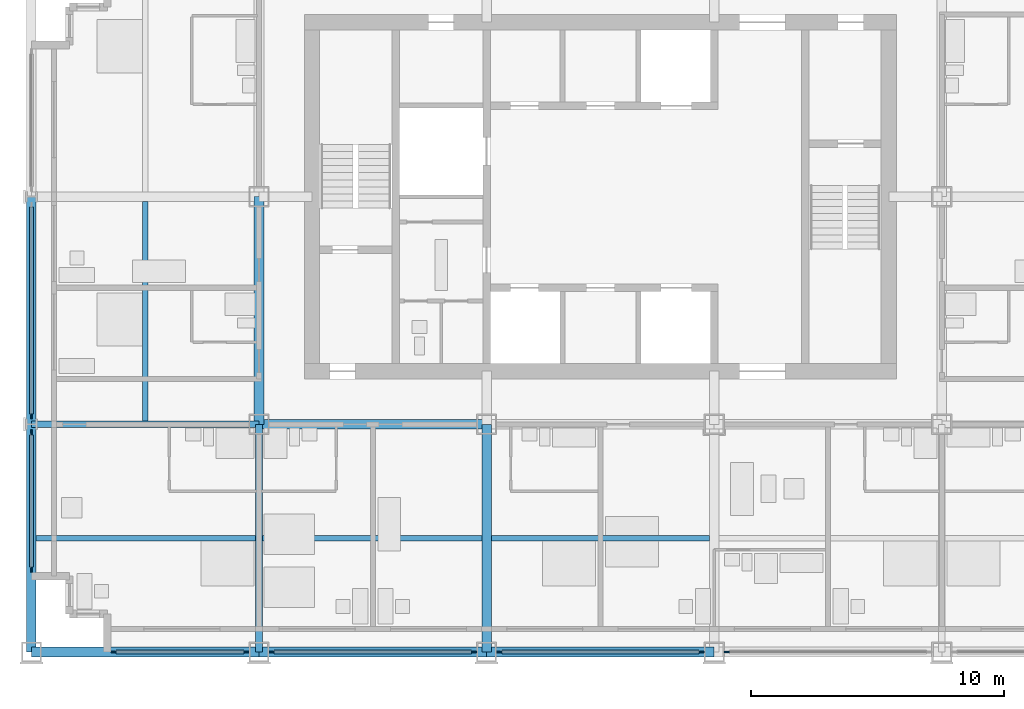
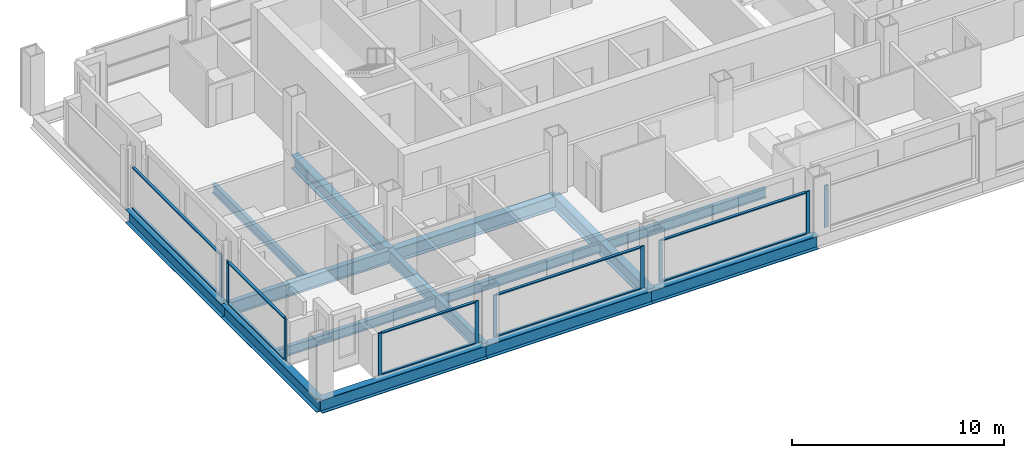
# One storey, part 2 of 13: 20 members, 14 beams, 6 elements without a shape of their own.
"""IFC4 building model written with IfcOpenShell, lengths in metres."""

from ifc_helpers import new_model, si_unit, direction, frame, origin, origin_2d, place, context, subcontext, project, spatial, rectangle, i_section, extrude, material, material_profile, profile_set, type_object, element, aggregate, save


model = new_model("IFC4")

# Units and contexts
model_context = context("Model", 3, precision=1e-05, world=origin(), true_north=direction((0.0, 1.0)))
body_context = subcontext(model_context, "Body", "Model", "MODEL_VIEW")
ifc_project = project(units=[si_unit("LENGTHUNIT", "METRE"), si_unit("AREAUNIT", "SQUARE_METRE"), si_unit("VOLUMEUNIT", "CUBIC_METRE"), si_unit("PLANEANGLEUNIT", "RADIAN"), si_unit("MASSUNIT", "GRAM", prefix="KILO")], contexts=[model_context])

# Site, building, storey
site_placement = place(None, origin())
site = spatial("IfcSite", under=ifc_project, at=site_placement, CompositionType="ELEMENT")
building_placement = place(site_placement, origin())
building = spatial("IfcBuilding", under=site, at=building_placement, Name="Loomwork Tower", CompositionType="ELEMENT")
storey_placement = place(building_placement, frame((0.0, 0.0, 211.39990234375)))
storey = spatial("IfcBuildingStorey", under=building, at=storey_placement, Name="L58", CompositionType="ELEMENT", Elevation=211.39990234375)

# Beams
ifc_material_1 = material(Name="Steel ASTM A992", Category="steel")
ifc_material_profile_1 = material_profile(ifc_material_1, i_section(OverallWidth=0.383544921875, OverallDepth=0.794921875, WebThickness=0.02099609375, FlangeThickness=0.0380859375, at=origin_2d()), Name="W30x235")
ifc_profile_set_1 = profile_set([ifc_material_profile_1], Name="Steel ASTM A992")
beam_type_1 = type_object("IfcBeamType", Name="CORE FLANK GIRDER W30x235", PredefinedType="BEAM", material=ifc_profile_set_1)
for number, where, z_axis, x_axis, name in (
    (1, (9.0, 9.0, -0.597412109375), (1.0, 0.0, 0.0), (0.0, 1.0, 0.0), "Core Flank Girder E/3-E/4 L58"),
    (2, (9.0, 9.0, -0.597412109375), (0.0, 1.0, 0.0), (-1.0, 0.0, 0.0), "Core Flank Girder E/3-F/3 L58"),
    (3, (18.0, 0.0, -0.597412109375), (0.0, 1.0, 0.0), (-1.0, 0.0, 0.0), "Core Flank Girder D/4-E/4 L58"),
):
    element("IfcBeam", number, at=place(storey_placement, frame(where, z_axis=z_axis, x_axis=x_axis)), inside=storey, type_object=beam_type_1, Name=name, PredefinedType="BEAM", context=body_context, shape_type="SweptSolid", body=[
        extrude(i_section(OverallWidth=0.383544921875, OverallDepth=0.794921875, WebThickness=0.02099609375, FlangeThickness=0.0380859375, at=origin_2d()), origin(), (0.0, 0.0, 1.0), 9.0),
    ])
ifc_material_2 = material(Name="Steel ASTM A992", Category="steel")
ifc_material_profile_2 = material_profile(ifc_material_2, i_section(OverallWidth=0.2666015625, OverallDepth=0.761962890625, WebThickness=0.014404296875, FlangeThickness=0.021484375, at=origin_2d()), Name="W30x116")
ifc_profile_set_2 = profile_set([ifc_material_profile_2], Name="Steel ASTM A992")
beam_type_2 = type_object("IfcBeamType", Name="FLOOR GIRDER W30x116", PredefinedType="BEAM", material=ifc_profile_set_2)
for number, where, z_axis, x_axis, name in (
    (4, (0.0, 9.0, -0.580810546875), (1.0, 0.0, 0.0), (0.0, 1.0, 0.0), "Floor Girder E/2-E/3 L58"),
    (5, (9.0, 0.0, -0.580810546875), (0.0, 1.0, 0.0), (-1.0, 0.0, 0.0), "Floor Girder D/3-E/3 L58"),
):
    element("IfcBeam", number, at=place(storey_placement, frame(where, z_axis=z_axis, x_axis=x_axis)), inside=storey, type_object=beam_type_2, Name=name, PredefinedType="BEAM", context=body_context, shape_type="SweptSolid", body=[
        extrude(i_section(OverallWidth=0.2666015625, OverallDepth=0.761962890625, WebThickness=0.014404296875, FlangeThickness=0.021484375, at=origin_2d()), origin(), (0.0, 0.0, 1.0), 9.0),
    ])
ifc_material_3 = material(Name="Steel ASTM A992", Category="steel")
ifc_material_profile_3 = material_profile(ifc_material_3, i_section(OverallWidth=0.2109375, OverallDepth=0.53857421875, WebThickness=0.011474609375, FlangeThickness=0.018798828125, at=origin_2d()), Name="W21x73")
ifc_profile_set_3 = profile_set([ifc_material_profile_3], Name="Steel ASTM A992")
beam_type_3 = type_object("IfcBeamType", Name="FLOOR JOIST W21x73", PredefinedType="JOIST", material=ifc_profile_set_3)
beam_1_placement = place(storey_placement, frame((0.18994140625, 4.5, -0.46923828125), z_axis=(1.0, 0.0, 0.0), x_axis=(0.0, 1.0, 0.0)))
element("IfcBeam", 6, at=beam_1_placement, inside=storey, type_object=beam_type_3, Name="Floor Joist 0.000,4.500-9.000,4.500 L58", PredefinedType="JOIST", context=body_context, shape_type="SweptSolid", body=[
    extrude(i_section(OverallWidth=0.2109375, OverallDepth=0.53857421875, WebThickness=0.011474609375, FlangeThickness=0.018798828125, at=origin_2d()), origin(), (0.0, 0.0, 1.0), 8.677001953125),
])
for number, where, z_axis, x_axis, name in (
    (7, (4.5, 9.133056640625, -0.46923828125), (0.0, 1.0, 0.0), (-1.0, 0.0, 0.0), "Floor Joist 4.500,9.000-4.500,18.000 L58"),
    (8, (9.133056640625, 4.5, -0.46923828125), (1.0, 0.0, 0.0), (0.0, 1.0, 0.0), "Floor Joist 9.000,4.500-18.000,4.500 L58"),
):
    element("IfcBeam", number, at=place(storey_placement, frame(where, z_axis=z_axis, x_axis=x_axis)), inside=storey, type_object=beam_type_3, Name=name, PredefinedType="JOIST", context=body_context, shape_type="SweptSolid", body=[
        extrude(i_section(OverallWidth=0.2109375, OverallDepth=0.53857421875, WebThickness=0.011474609375, FlangeThickness=0.018798828125, at=origin_2d()), origin(), (0.0, 0.0, 1.0), 8.676025390625),
    ])
beam_2_placement = place(storey_placement, frame((18.19091796875, 4.5, -0.46923828125), z_axis=(1.0, 0.0, 0.0), x_axis=(0.0, 1.0, 0.0)))
element("IfcBeam", 9, at=beam_2_placement, inside=storey, type_object=beam_type_3, Name="Floor Joist 18.000,4.500-27.000,4.500 L58", PredefinedType="JOIST", context=body_context, shape_type="SweptSolid", body=[
    extrude(i_section(OverallWidth=0.2109375, OverallDepth=0.53857421875, WebThickness=0.011474609375, FlangeThickness=0.018798828125, at=origin_2d()), origin(), (0.0, 0.0, 1.0), 8.6181640625),
])

# Curtain wall, members
ifc_material_4 = material(Name="Aluminium curtain wall frame", Category="aluminium")
curtain_wall_type = type_object("IfcCurtainWallType", Name="Outer skin glazing hotel", PredefinedType="NOTDEFINED", material=ifc_material_4)
curtain_wall_1_placement = place(storey_placement, origin())
curtain_wall_1 = element("IfcCurtainWall", 10, at=curtain_wall_1_placement, inside=storey, type_object=curtain_wall_type, Name="Outer skin glazing hotel cw/S-0", PredefinedType="NOTDEFINED")
ifc_material_5 = material(Name="Aluminium curtain wall frame", Category="aluminium")
ifc_material_profile_4 = material_profile(ifc_material_5, rectangle(XDim=0.06494140625, YDim=0.199951171875, at=origin_2d()), Name="AL 65x200")
ifc_profile_set_4 = profile_set([ifc_material_profile_4], Name="Aluminium curtain wall frame")
member_type_1 = type_object("IfcMemberType", Name="Outer skin glazing hotel mullion", PredefinedType="MULLION", material=ifc_profile_set_4)
member_1_placement = place(storey_placement, frame((3.25, 0.0, 0.0), z_axis=(0.0, 0.0, 1.0), x_axis=(0.0, 1.0, 0.0)))
member_1 = element("IfcMember", 11, at=member_1_placement, type_object=member_type_1, Name="CW1 mullion 1", PredefinedType="MULLION", context=body_context, shape_type="SweptSolid", body=[
    extrude(rectangle(XDim=0.06494140625, YDim=0.199951171875, at=origin_2d()), origin(), (0.0, 0.0, 1.0), 2.42041015625),
])
member_2_placement = place(storey_placement, frame((8.5, 0.0, 0.0), z_axis=(0.0, 0.0, 1.0), x_axis=(0.0, 1.0, 0.0)))
member_2 = element("IfcMember", 12, at=member_2_placement, type_object=member_type_1, Name="CW1 mullion 2", PredefinedType="MULLION", context=body_context, shape_type="SweptSolid", body=[
    extrude(rectangle(XDim=0.06494140625, YDim=0.199951171875, at=origin_2d()), origin(), (0.0, 0.0, 1.0), 2.42041015625),
])

curtain_wall_2_placement = place(storey_placement, origin())
curtain_wall_2 = element("IfcCurtainWall", 13, at=curtain_wall_2_placement, inside=storey, type_object=curtain_wall_type, Name="Outer skin glazing hotel cw/S-9", PredefinedType="NOTDEFINED")
member_3_placement = place(storey_placement, frame((9.5, 0.0, 0.0), z_axis=(0.0, 0.0, 1.0), x_axis=(0.0, 1.0, 0.0)))
member_3 = element("IfcMember", 14, at=member_3_placement, type_object=member_type_1, Name="CW1 mullion 1", PredefinedType="MULLION", context=body_context, shape_type="SweptSolid", body=[
    extrude(rectangle(XDim=0.06494140625, YDim=0.199951171875, at=origin_2d()), origin(), (0.0, 0.0, 1.0), 2.42041015625),
])
member_4_placement = place(storey_placement, frame((17.5, 0.0, 0.0), z_axis=(0.0, 0.0, 1.0), x_axis=(0.0, 1.0, 0.0)))
member_4 = element("IfcMember", 15, at=member_4_placement, type_object=member_type_1, Name="CW1 mullion 2", PredefinedType="MULLION", context=body_context, shape_type="SweptSolid", body=[
    extrude(rectangle(XDim=0.06494140625, YDim=0.199951171875, at=origin_2d()), origin(), (0.0, 0.0, 1.0), 2.42041015625),
])

curtain_wall_3_placement = place(storey_placement, origin())
curtain_wall_3 = element("IfcCurtainWall", 16, at=curtain_wall_3_placement, inside=storey, type_object=curtain_wall_type, Name="Outer skin glazing hotel cw/S-18", PredefinedType="NOTDEFINED")
member_5_placement = place(storey_placement, frame((18.5, 0.0, 0.0), z_axis=(0.0, 0.0, 1.0), x_axis=(0.0, 1.0, 0.0)))
member_5 = element("IfcMember", 17, at=member_5_placement, type_object=member_type_1, Name="CW1 mullion 1", PredefinedType="MULLION", context=body_context, shape_type="SweptSolid", body=[
    extrude(rectangle(XDim=0.06494140625, YDim=0.199951171875, at=origin_2d()), origin(), (0.0, 0.0, 1.0), 2.42041015625),
])
member_6_placement = place(storey_placement, frame((26.5, 0.0, 0.0), z_axis=(0.0, 0.0, 1.0), x_axis=(0.0, 1.0, 0.0)))
member_6 = element("IfcMember", 18, at=member_6_placement, type_object=member_type_1, Name="CW1 mullion 2", PredefinedType="MULLION", context=body_context, shape_type="SweptSolid", body=[
    extrude(rectangle(XDim=0.06494140625, YDim=0.199951171875, at=origin_2d()), origin(), (0.0, 0.0, 1.0), 2.42041015625),
])

# Curtain wall, member
curtain_wall_4_placement = place(storey_placement, origin())
curtain_wall_4 = element("IfcCurtainWall", 19, at=curtain_wall_4_placement, inside=storey, type_object=curtain_wall_type, Name="Outer skin glazing hotel cw/S-27", PredefinedType="NOTDEFINED")
member_7_placement = place(storey_placement, frame((27.5, 0.0, 0.0), z_axis=(0.0, 0.0, 1.0), x_axis=(0.0, 1.0, 0.0)))
member_7 = element("IfcMember", 20, at=member_7_placement, type_object=member_type_1, Name="CW1 mullion 1", PredefinedType="MULLION", context=body_context, shape_type="SweptSolid", body=[
    extrude(rectangle(XDim=0.06494140625, YDim=0.199951171875, at=origin_2d()), origin(), (0.0, 0.0, 1.0), 2.42041015625),
])
aggregate(curtain_wall_4, [member_7])

# Curtain wall, members
curtain_wall_5_placement = place(storey_placement, origin())
curtain_wall_5 = element("IfcCurtainWall", 21, at=curtain_wall_5_placement, inside=storey, type_object=curtain_wall_type, Name="Outer skin glazing hotel cw/W-0", PredefinedType="NOTDEFINED")
member_8_placement = place(storey_placement, frame((0.0, 8.6865234375, 0.0), z_axis=(0.0, 0.0, 1.0), x_axis=(1.0, 0.0, 0.0)))
member_8 = element("IfcMember", 22, at=member_8_placement, type_object=member_type_1, Name="CW1 mullion 1", PredefinedType="MULLION", context=body_context, shape_type="SweptSolid", body=[
    extrude(rectangle(XDim=0.06494140625, YDim=0.199951171875, at=origin_2d()), origin(), (0.0, 0.0, 1.0), 2.42041015625),
])
member_9_placement = place(storey_placement, frame((0.0, 3.25, 0.0), z_axis=(0.0, 0.0, 1.0), x_axis=(1.0, 0.0, 0.0)))
member_9 = element("IfcMember", 23, at=member_9_placement, type_object=member_type_1, Name="CW1 mullion 2", PredefinedType="MULLION", context=body_context, shape_type="SweptSolid", body=[
    extrude(rectangle(XDim=0.06494140625, YDim=0.199951171875, at=origin_2d()), origin(), (0.0, 0.0, 1.0), 2.42041015625),
])

# Curtain wall, member
curtain_wall_6_placement = place(storey_placement, origin())
curtain_wall_6 = element("IfcCurtainWall", 24, at=curtain_wall_6_placement, inside=storey, type_object=curtain_wall_type, Name="Outer skin glazing hotel cw/W-9", PredefinedType="NOTDEFINED")
member_10_placement = place(storey_placement, frame((0.0, 9.3134765625, 0.0), z_axis=(0.0, 0.0, 1.0), x_axis=(1.0, 0.0, 0.0)))
member_10 = element("IfcMember", 25, at=member_10_placement, type_object=member_type_1, Name="CW1 mullion 2", PredefinedType="MULLION", context=body_context, shape_type="SweptSolid", body=[
    extrude(rectangle(XDim=0.06494140625, YDim=0.199951171875, at=origin_2d()), origin(), (0.0, 0.0, 1.0), 2.42041015625),
])

# Member
ifc_material_6 = material(Name="Aluminium curtain wall frame", Category="aluminium")
ifc_material_profile_5 = material_profile(ifc_material_6, rectangle(XDim=0.14990234375, YDim=0.06494140625, at=origin_2d()), Name="AL 65x150")
ifc_profile_set_5 = profile_set([ifc_material_profile_5], Name="Aluminium curtain wall frame")
member_type_2 = type_object("IfcMemberType", Name="Outer skin glazing hotel transom", PredefinedType="USERDEFINED", material=ifc_profile_set_5)
member_11_placement = place(storey_placement, frame((3.35009765625, 0.0, 0.03271484375), z_axis=(1.0, 0.0, 0.0), x_axis=(0.0, 1.0, 0.0)))
member_11 = element("IfcMember", 26, at=member_11_placement, type_object=member_type_2, Name="CW1 transom 1.1", ObjectType="TRANSOM", PredefinedType="USERDEFINED", context=body_context, shape_type="SweptSolid", body=[
    extrude(rectangle(XDim=0.14990234375, YDim=0.06494140625, at=origin_2d()), origin(), (0.0, 0.0, 1.0), 5.0498046875),
])

member_12_placement = place(storey_placement, frame((3.35009765625, 0.0, 2.3876953125), z_axis=(1.0, 0.0, 0.0), x_axis=(0.0, 1.0, 0.0)))
member_12 = element("IfcMember", 27, at=member_12_placement, type_object=member_type_2, Name="CW1 transom 1.2", ObjectType="TRANSOM", PredefinedType="USERDEFINED", context=body_context, shape_type="SweptSolid", body=[
    extrude(rectangle(XDim=0.14990234375, YDim=0.06494140625, at=origin_2d()), origin(), (0.0, 0.0, 1.0), 5.0498046875),
])

aggregate(curtain_wall_1, [member_1, member_2, member_11, member_12])

member_13_placement = place(storey_placement, frame((9.60009765625, 0.0, 0.03271484375), z_axis=(1.0, 0.0, 0.0), x_axis=(0.0, 1.0, 0.0)))
member_13 = element("IfcMember", 28, at=member_13_placement, type_object=member_type_2, Name="CW1 transom 1.1", ObjectType="TRANSOM", PredefinedType="USERDEFINED", context=body_context, shape_type="SweptSolid", body=[
    extrude(rectangle(XDim=0.14990234375, YDim=0.06494140625, at=origin_2d()), origin(), (0.0, 0.0, 1.0), 7.7998046875),
])

member_14_placement = place(storey_placement, frame((9.60009765625, 0.0, 2.3876953125), z_axis=(1.0, 0.0, 0.0), x_axis=(0.0, 1.0, 0.0)))
member_14 = element("IfcMember", 29, at=member_14_placement, type_object=member_type_2, Name="CW1 transom 1.2", ObjectType="TRANSOM", PredefinedType="USERDEFINED", context=body_context, shape_type="SweptSolid", body=[
    extrude(rectangle(XDim=0.14990234375, YDim=0.06494140625, at=origin_2d()), origin(), (0.0, 0.0, 1.0), 7.7998046875),
])

aggregate(curtain_wall_2, [member_3, member_4, member_13, member_14])

member_15_placement = place(storey_placement, frame((18.60009765625, 0.0, 0.03271484375), z_axis=(1.0, 0.0, 0.0), x_axis=(0.0, 1.0, 0.0)))
member_15 = element("IfcMember", 30, at=member_15_placement, type_object=member_type_2, Name="CW1 transom 1.1", ObjectType="TRANSOM", PredefinedType="USERDEFINED", context=body_context, shape_type="SweptSolid", body=[
    extrude(rectangle(XDim=0.14990234375, YDim=0.06494140625, at=origin_2d()), origin(), (0.0, 0.0, 1.0), 7.7998046875),
])

member_16_placement = place(storey_placement, frame((18.60009765625, 0.0, 2.3876953125), z_axis=(1.0, 0.0, 0.0), x_axis=(0.0, 1.0, 0.0)))
member_16 = element("IfcMember", 31, at=member_16_placement, type_object=member_type_2, Name="CW1 transom 1.2", ObjectType="TRANSOM", PredefinedType="USERDEFINED", context=body_context, shape_type="SweptSolid", body=[
    extrude(rectangle(XDim=0.14990234375, YDim=0.06494140625, at=origin_2d()), origin(), (0.0, 0.0, 1.0), 7.7998046875),
])

aggregate(curtain_wall_3, [member_5, member_6, member_15, member_16])

member_17_placement = place(storey_placement, frame((0.0, 8.586669921875, 0.03271484375), z_axis=(0.0, -1.0, 0.0), x_axis=(1.0, 0.0, 0.0)))
member_17 = element("IfcMember", 32, at=member_17_placement, type_object=member_type_2, Name="CW1 transom 1.1", ObjectType="TRANSOM", PredefinedType="USERDEFINED", context=body_context, shape_type="SweptSolid", body=[
    extrude(rectangle(XDim=0.14990234375, YDim=0.06494140625, at=origin_2d()), origin(), (0.0, 0.0, 1.0), 5.236572265625),
])

member_18_placement = place(storey_placement, frame((0.0, 8.586669921875, 2.3876953125), z_axis=(0.0, -1.0, 0.0), x_axis=(1.0, 0.0, 0.0)))
member_18 = element("IfcMember", 33, at=member_18_placement, type_object=member_type_2, Name="CW1 transom 1.2", ObjectType="TRANSOM", PredefinedType="USERDEFINED", context=body_context, shape_type="SweptSolid", body=[
    extrude(rectangle(XDim=0.14990234375, YDim=0.06494140625, at=origin_2d()), origin(), (0.0, 0.0, 1.0), 5.236572265625),
])

aggregate(curtain_wall_5, [member_8, member_9, member_17, member_18])

member_19_placement = place(storey_placement, frame((0.0, 17.586669921875, 0.03271484375), z_axis=(0.0, -1.0, 0.0), x_axis=(1.0, 0.0, 0.0)))
member_19 = element("IfcMember", 34, at=member_19_placement, type_object=member_type_2, Name="CW1 transom 1.1", ObjectType="TRANSOM", PredefinedType="USERDEFINED", context=body_context, shape_type="SweptSolid", body=[
    extrude(rectangle(XDim=0.14990234375, YDim=0.06494140625, at=origin_2d()), origin(), (0.0, 0.0, 1.0), 8.17333984375),
])

member_20_placement = place(storey_placement, frame((0.0, 17.586669921875, 2.3876953125), z_axis=(0.0, -1.0, 0.0), x_axis=(1.0, 0.0, 0.0)))
member_20 = element("IfcMember", 35, at=member_20_placement, type_object=member_type_2, Name="CW1 transom 1.2", ObjectType="TRANSOM", PredefinedType="USERDEFINED", context=body_context, shape_type="SweptSolid", body=[
    extrude(rectangle(XDim=0.14990234375, YDim=0.06494140625, at=origin_2d()), origin(), (0.0, 0.0, 1.0), 8.17333984375),
])

aggregate(curtain_wall_6, [member_10, member_19, member_20])

# Beams
ifc_material_7 = material(Name="Steel ASTM A992", Category="steel")
ifc_material_profile_6 = material_profile(ifc_material_7, i_section(OverallWidth=0.381103515625, OverallDepth=0.77978515625, WebThickness=0.01806640625, FlangeThickness=0.0302734375, at=origin_2d()), Name="W30x191")
ifc_profile_set_6 = profile_set([ifc_material_profile_6], Name="Steel ASTM A992")
beam_type_4 = type_object("IfcBeamType", Name="SPANDREL GIRDER W30x191", PredefinedType="SPANDREL", material=ifc_profile_set_6)
for number, where, z_axis, x_axis, name in (
    (36, (0.0, 0.0, -0.58984375), (1.0, 0.0, 0.0), (0.0, 1.0, 0.0), "Spandrel Girder D/2-D/3 L58"),
    (37, (9.0, 0.0, -0.58984375), (1.0, 0.0, 0.0), (0.0, 1.0, 0.0), "Spandrel Girder D/3-D/4 L58"),
    (38, (18.0, 0.0, -0.58984375), (1.0, 0.0, 0.0), (0.0, 1.0, 0.0), "Spandrel Girder D/4-D/5 L58"),
    (39, (0.0, 0.0, -0.58984375), (0.0, 1.0, 0.0), (-1.0, 0.0, 0.0), "Spandrel Girder D/2-E/2 L58"),
    (40, (0.0, 9.0, -0.58984375), (0.0, 1.0, 0.0), (-1.0, 0.0, 0.0), "Spandrel Girder E/2-F/2 L58"),
):
    element("IfcBeam", number, at=place(storey_placement, frame(where, z_axis=z_axis, x_axis=x_axis)), inside=storey, type_object=beam_type_4, Name=name, PredefinedType="SPANDREL", context=body_context, shape_type="SweptSolid", body=[
        extrude(i_section(OverallWidth=0.381103515625, OverallDepth=0.77978515625, WebThickness=0.01806640625, FlangeThickness=0.0302734375, at=origin_2d()), origin(), (0.0, 0.0, 1.0), 9.0),
    ])

save(model, "model.ifc")
